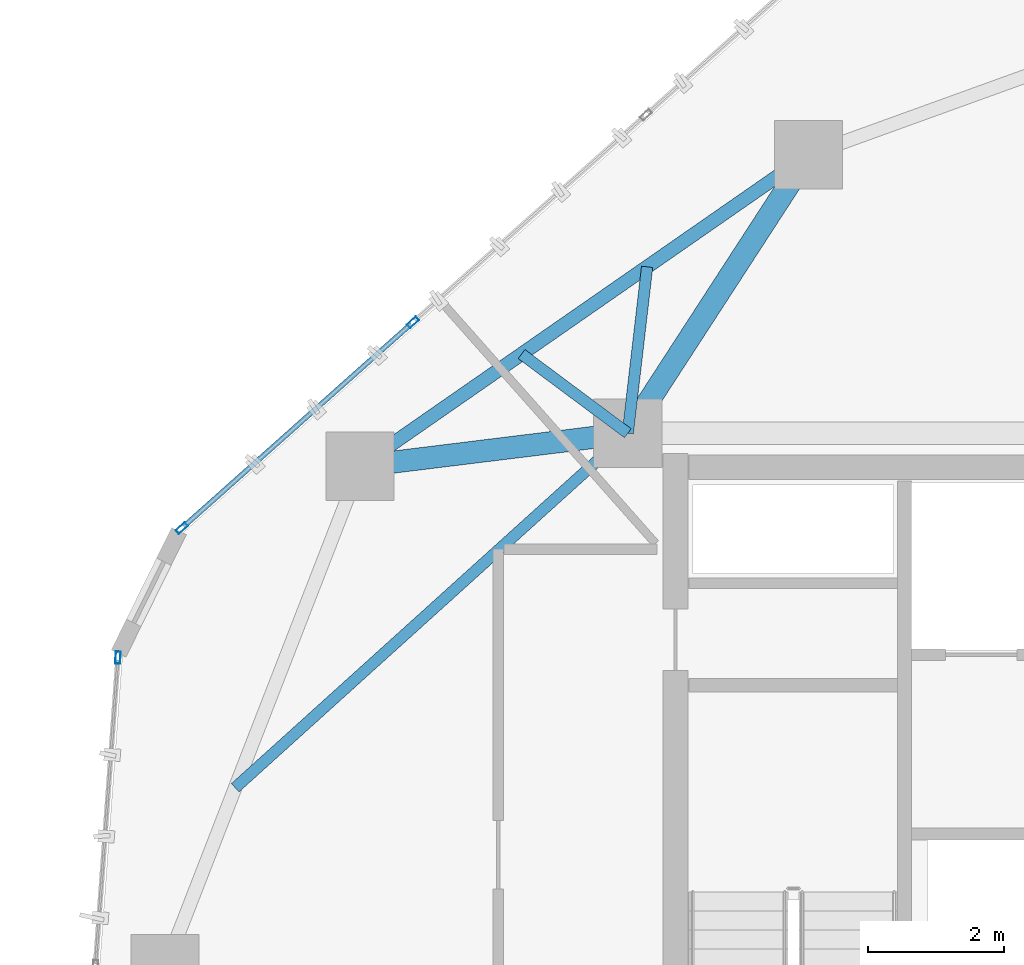
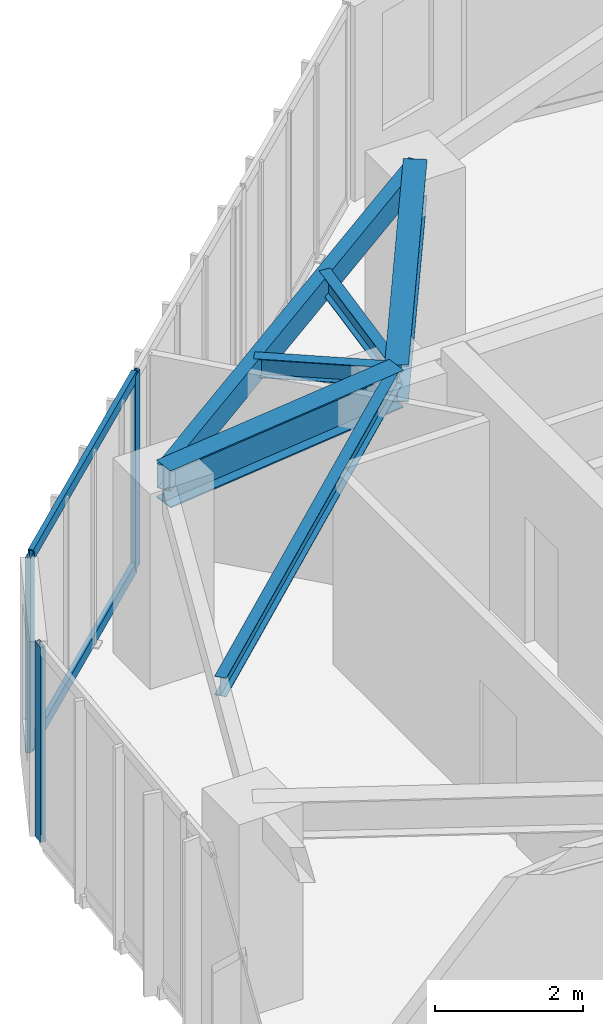
# One storey, part 9 of 20: 6 beams, 5 members, 2 elements without a shape of their own.
"""IFC4 building model written with IfcOpenShell, lengths in metres."""

from ifc_helpers import new_model, si_unit, direction, frame, origin, origin_2d, place, context, subcontext, project, spatial, hollow_rectangle, i_section, extrude, source, transform, mapped, material, layer, layer_set, material_profile, profile_set, type_object, type_shapes, element, aggregate, save


model = new_model("IFC4")

# Units and contexts
model_context = context("Model", 3, precision=1e-05, world=origin(), true_north=direction((0.0, 1.0)))
body_context = subcontext(model_context, "Body", "Model", "MODEL_VIEW")
ifc_project = project(units=[si_unit("LENGTHUNIT", "METRE"), si_unit("AREAUNIT", "SQUARE_METRE"), si_unit("VOLUMEUNIT", "CUBIC_METRE"), si_unit("PLANEANGLEUNIT", "RADIAN"), si_unit("MASSUNIT", "GRAM", prefix="KILO")], contexts=[model_context])

# Site, building, storey
site_placement = place(None, origin())
site = spatial("IfcSite", under=ifc_project, at=site_placement, CompositionType="ELEMENT")
building_placement = place(site_placement, origin())
building = spatial("IfcBuilding", under=site, at=building_placement, Name="Talar Marvaseh", CompositionType="ELEMENT")
storey_placement = place(building_placement, frame((0.0, 0.0, 215.199951171875)))
storey = spatial("IfcBuildingStorey", under=building, at=storey_placement, Name="L56", CompositionType="ELEMENT", Elevation=215.199951171875)

# Beams
ifc_material_1 = material(Name="Steel S355", Category="steel")
ifc_material_profile_1 = material_profile(ifc_material_1, hollow_rectangle(XDim=0.199951171875, YDim=0.39990234375, WallThickness=0.013916015625, at=origin_2d()), Name="RHS400x200x14")
ifc_profile_set_1 = profile_set([ifc_material_profile_1], Name="Steel S355")
beam_type_1 = type_object("IfcBeamType", Name="Zone 3 Perimeter Spandrel Beam RHS400x200x14", PredefinedType="SPANDREL", material=ifc_profile_set_1)
beam_1_placement = place(storey_placement, frame((14.77294921875, 36.416015625, 3.030029296875), z_axis=(0.821296978901, 0.570500896098, 0.0), x_axis=(-0.570500896098, 0.821296978901, 0.0)))
element("IfcBeam", 1, at=beam_1_placement, inside=storey, type_object=beam_type_1, Name="L56 Zone 3 Perimeter Spandrel Beam RHS400x200x14", PredefinedType="SPANDREL", context=body_context, shape_type="SweptSolid", body=[
    extrude(hollow_rectangle(XDim=0.199951171875, YDim=0.39990234375, WallThickness=0.013916015625, at=origin_2d()), origin(), (0.0, 0.0, 1.0), 8.0107421875),
])
ifc_material_profile_2 = material_profile(ifc_material_1, i_section(OverallWidth=0.324951171875, OverallDepth=0.615966796875, WebThickness=0.013916015625, FlangeThickness=0.021484375, at=origin_2d()), Name="W610x174")
ifc_profile_set_2 = profile_set([ifc_material_profile_2], Name="Steel S355")
beam_type_2 = type_object("IfcBeamType", Name="Zone 3 Radial Floor Girder W610x174", PredefinedType="BEAM", material=ifc_profile_set_2)
beam_2_placement = place(storey_placement, frame((14.77294921875, 36.416015625, 2.922119140625), z_axis=(0.99249373738, 0.122295467049, 0.0), x_axis=(-0.122295467049, 0.99249373738, 0.0)))
element("IfcBeam", 2, at=beam_2_placement, inside=storey, type_object=beam_type_2, Name="L56 Zone 3 Radial Floor Girder W610x174", PredefinedType="BEAM", context=body_context, shape_type="SweptSolid", body=[
    extrude(i_section(OverallWidth=0.324951171875, OverallDepth=0.615966796875, WebThickness=0.013916015625, FlangeThickness=0.021484375, at=origin_2d()), origin(), (0.0, 0.0, 1.0), 3.956787109375),
])
beam_3_placement = place(storey_placement, frame((21.35205078125, 40.986083984375, 2.922119140625), z_axis=(-0.544422757063, -0.838810980849, 0.0), x_axis=(0.838810980849, -0.544422757063, 0.0)))
element("IfcBeam", 3, at=beam_3_placement, inside=storey, type_object=beam_type_2, Name="L56 Zone 3 Radial Floor Girder W610x174", PredefinedType="BEAM", context=body_context, shape_type="SweptSolid", body=[
    extrude(i_section(OverallWidth=0.324951171875, OverallDepth=0.615966796875, WebThickness=0.013916015625, FlangeThickness=0.021484375, at=origin_2d()), origin(), (0.0, 0.0, 1.0), 4.871337890625),
])
ifc_material_profile_3 = material_profile(ifc_material_1, i_section(OverallWidth=0.166015625, OverallDepth=0.31298828125, WebThickness=0.006591796875, FlangeThickness=0.01123046875, at=origin_2d()), Name="W310x45")
ifc_profile_set_3 = profile_set([ifc_material_profile_3], Name="Steel S355")
beam_type_3 = type_object("IfcBeamType", Name="Zone 3 Secondary Floor Joist W310x45", PredefinedType="JOIST", material=ifc_profile_set_3)
beam_4_placement = place(storey_placement, frame((12.93994140625, 31.698486328125, 3.073486328125), z_axis=(0.74217784775, 0.670202985899, 0.0), x_axis=(-0.670202985899, 0.74217784775, 0.0)))
element("IfcBeam", 4, at=beam_4_placement, inside=storey, type_object=beam_type_3, Name="L56 Zone 3 Secondary Floor Joist W310x45", PredefinedType="JOIST", context=body_context, shape_type="SweptSolid", body=[
    extrude(i_section(OverallWidth=0.166015625, OverallDepth=0.31298828125, WebThickness=0.006591796875, FlangeThickness=0.01123046875, at=origin_2d()), origin(), (0.0, 0.0, 1.0), 7.760986328125),
])
beam_5_placement = place(storey_placement, frame((17.141357421875, 38.061279296875, 3.073486328125), z_axis=(0.801865127607, -0.597505077072, 0.0), x_axis=(0.597505077072, 0.801865127607, 0.0)))
element("IfcBeam", 5, at=beam_5_placement, inside=storey, type_object=beam_type_3, Name="L56 Zone 3 Secondary Floor Joist W310x45", PredefinedType="JOIST", context=body_context, shape_type="SweptSolid", body=[
    extrude(i_section(OverallWidth=0.166015625, OverallDepth=0.31298828125, WebThickness=0.006591796875, FlangeThickness=0.01123046875, at=origin_2d()), origin(), (0.0, 0.0, 1.0), 1.943603515625),
])
beam_6_placement = place(storey_placement, frame((18.983642578125, 39.3408203125, 3.073486328125), z_axis=(-0.115446145895, -0.993313740667, 0.0), x_axis=(0.993313740667, -0.115446145895, 0.0)))
element("IfcBeam", 6, at=beam_6_placement, inside=storey, type_object=beam_type_3, Name="L56 Zone 3 Secondary Floor Joist W310x45", PredefinedType="JOIST", context=body_context, shape_type="SweptSolid", body=[
    extrude(i_section(OverallWidth=0.166015625, OverallDepth=0.31298828125, WebThickness=0.006591796875, FlangeThickness=0.01123046875, at=origin_2d()), origin(), (0.0, 0.0, 1.0), 2.457275390625),
])

# Curtain wall, member
ifc_material_2 = material(Name="Architectural Aluminium", Category="aluminium")
ifc_layer = layer(ifc_material_2, 0.18994140625)
ifc_layer_set = layer_set([ifc_layer], Name="Architectural Aluminium")
curtain_wall_type = type_object("IfcCurtainWallType", Name="Unitised Solar Atelier Curtain Wall Z3", PredefinedType="NOTDEFINED", material=ifc_layer_set)
curtain_wall_1_placement = place(storey_placement, origin())
curtain_wall_1 = element("IfcCurtainWall", 7, at=curtain_wall_1_placement, inside=storey, type_object=curtain_wall_type, Name="L56 Unitised Solar Atelier Curtain Wall Z3", PredefinedType="NOTDEFINED")
ifc_material_profile_4 = material_profile(ifc_material_2, hollow_rectangle(XDim=0.074951171875, YDim=0.179931640625, WallThickness=0.0048828125, at=origin_2d()), Name="RHS180x75x5")
ifc_profile_set_4 = profile_set([ifc_material_profile_4], Name="Architectural Aluminium")
member_type_1 = type_object("IfcMemberType", Name="Unitised Curtain Wall Standard Mullion RHS180x75x5", PredefinedType="MULLION", material=ifc_profile_set_4)
shared_shape_1 = source(origin(), body_context, "Body", "SweptSolid", [
    extrude(hollow_rectangle(XDim=0.074951171875, YDim=0.179931640625, WallThickness=0.0048828125, at=origin_2d()), origin(), (0.0, 0.0, 1.0), 3.22998046875),
])
type_shapes(member_type_1, [shared_shape_1])
member_1_placement = place(storey_placement, frame((11.220703125, 33.60791015625, 0.0), z_axis=(0.0, 0.0, 1.0), x_axis=(-0.99733736785, 0.072925816354, 0.0)))
member_1 = element("IfcMember", 8, at=member_1_placement, type_object=member_type_1, Name="CW-Z3 mullion 4", PredefinedType="MULLION", context=body_context, shape_type="MappedRepresentation", body=[
    mapped(shared_shape_1, transform((0.0, 0.0, 0.0), x_axis=(1.0, 0.0, 0.0), y_axis=(0.0, 1.0, 0.0), z_axis=(0.0, 0.0, 1.0), scale=1.0)),
])
aggregate(curtain_wall_1, [member_1])

# Curtain wall, members
curtain_wall_2_placement = place(storey_placement, origin())
curtain_wall_2 = element("IfcCurtainWall", 9, at=curtain_wall_2_placement, inside=storey, type_object=curtain_wall_type, Name="L56 Unitised Solar Atelier Curtain Wall Z3", PredefinedType="NOTDEFINED")
member_2_placement = place(storey_placement, frame((12.1572265625, 35.507080078125, 0.0), z_axis=(0.0, 0.0, 1.0), x_axis=(-0.664998221476, 0.74684494069, 0.0)))
member_2 = element("IfcMember", 10, at=member_2_placement, type_object=member_type_1, Name="CW-Z3 mullion 1", PredefinedType="MULLION", context=body_context, shape_type="MappedRepresentation", body=[
    mapped(shared_shape_1, transform((0.0, 0.0, 0.0), x_axis=(1.0, 0.0, 0.0), y_axis=(0.0, 1.0, 0.0), z_axis=(0.0, 0.0, 1.0), scale=1.0)),
])
member_3_placement = place(storey_placement, frame((15.547607421875, 38.52587890625, 0.0), z_axis=(0.0, 0.0, 1.0), x_axis=(-0.664998221476, 0.74684494069, 0.0)))
member_3 = element("IfcMember", 11, at=member_3_placement, type_object=member_type_1, Name="CW-Z3 mullion 2", PredefinedType="MULLION", context=body_context, shape_type="MappedRepresentation", body=[
    mapped(shared_shape_1, transform((0.0, 0.0, 0.0), x_axis=(1.0, 0.0, 0.0), y_axis=(0.0, 1.0, 0.0), z_axis=(0.0, 0.0, 1.0), scale=1.0)),
])
ifc_material_profile_5 = material_profile(ifc_material_2, hollow_rectangle(XDim=0.074951171875, YDim=0.179931640625, WallThickness=0.0048828125, at=origin_2d()), Name="RHS180x75x5")
ifc_profile_set_5 = profile_set([ifc_material_profile_5], Name="Architectural Aluminium")
member_type_2 = type_object("IfcMemberType", Name="Unitised Curtain Wall Transom RHS180x75x5", PredefinedType="USERDEFINED", material=ifc_profile_set_5)
shared_shape_2 = source(origin(), body_context, "Body", "SweptSolid", [
    extrude(hollow_rectangle(XDim=0.074951171875, YDim=0.179931640625, WallThickness=0.0048828125, at=origin_2d()), origin(), (0.0, 0.0, 1.0), 4.464599609375),
])
type_shapes(member_type_2, [shared_shape_2])
member_4_placement = place(storey_placement, frame((12.185302734375, 35.531982421875, 0.03759765625), z_axis=(0.746850918303, 0.664991508089, 0.0), x_axis=(-0.664991508089, 0.746850918303, 0.0)))
member_4 = element("IfcMember", 12, at=member_4_placement, type_object=member_type_2, Name="CW-Z3 transom 1.1", ObjectType="TRANSOM", PredefinedType="USERDEFINED", context=body_context, shape_type="MappedRepresentation", body=[
    mapped(shared_shape_2, transform((0.0, 0.0, 0.0), x_axis=(1.0, 0.0, 0.0), y_axis=(0.0, 1.0, 0.0), z_axis=(0.0, 0.0, 1.0), scale=1.0)),
])
member_5_placement = place(storey_placement, frame((12.185302734375, 35.531982421875, 3.192626953125), z_axis=(0.746850918303, 0.664991508089, 0.0), x_axis=(-0.664991508089, 0.746850918303, 0.0)))
member_5 = element("IfcMember", 13, at=member_5_placement, type_object=member_type_2, Name="CW-Z3 transom 1.2", ObjectType="TRANSOM", PredefinedType="USERDEFINED", context=body_context, shape_type="MappedRepresentation", body=[
    mapped(shared_shape_2, transform((0.0, 0.0, 0.0), x_axis=(1.0, 0.0, 0.0), y_axis=(0.0, 1.0, 0.0), z_axis=(0.0, 0.0, 1.0), scale=1.0)),
])
aggregate(curtain_wall_2, [member_2, member_3, member_4, member_5])

save(model, "model.ifc")
